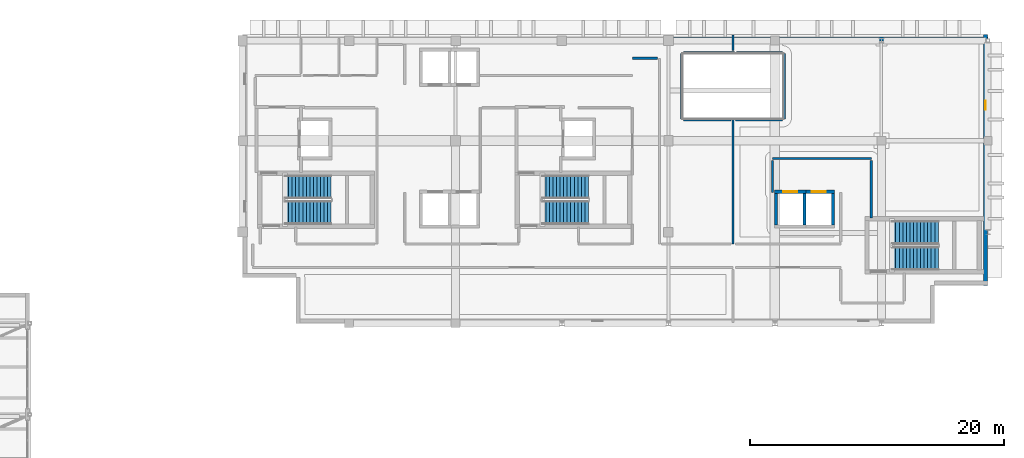
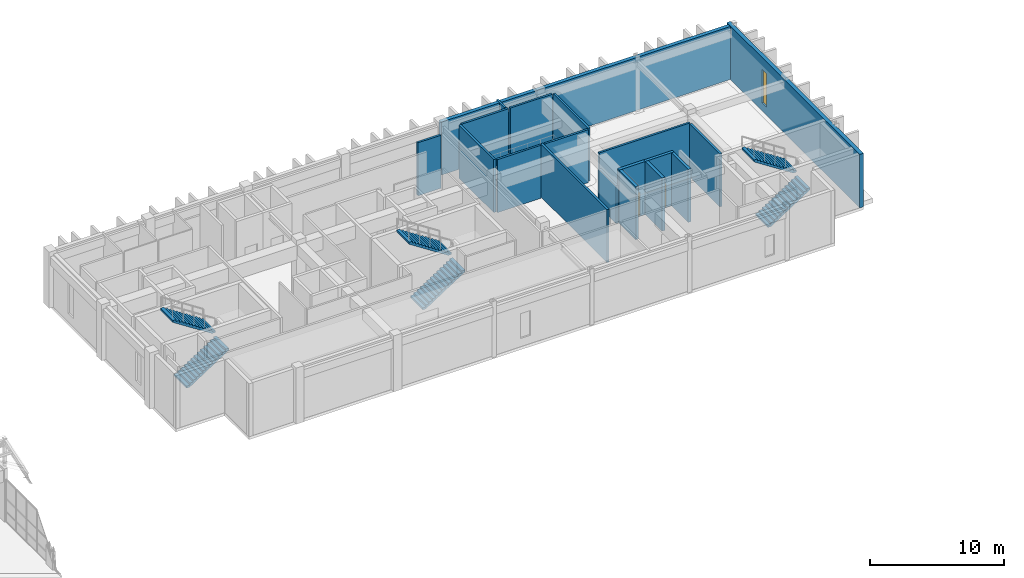
# One storey, part 30 of 34: 19 walls, 6 stair flights, 2 doors, 1 window, 3 openings, 3 elements without a shape of their own.
"""IFC4 building model written with IfcOpenShell, lengths in metres."""

from ifc_helpers import new_model, si_unit, direction, frame, frame_2d, origin, place, context, subcontext, project, spatial, polyline, rectangle, outline, extrude, material, layer, layer_set, type_object, element, fill, aggregate, save


model = new_model("IFC4")

# Units and contexts
model_context = context("Model", 3, precision=1e-05, world=origin(), true_north=direction((0.0, 1.0)))
body_context = subcontext(model_context, "Body", "Model", "MODEL_VIEW")
ifc_project = project(units=[si_unit("LENGTHUNIT", "METRE"), si_unit("AREAUNIT", "SQUARE_METRE"), si_unit("VOLUMEUNIT", "CUBIC_METRE"), si_unit("PLANEANGLEUNIT", "RADIAN"), si_unit("MASSUNIT", "GRAM", prefix="KILO")], contexts=[model_context])

# Site, building, storey
site_placement = place(None, origin())
site = spatial("IfcSite", under=ifc_project, at=site_placement, CompositionType="ELEMENT")
building_placement = place(site_placement, origin())
building = spatial("IfcBuilding", under=site, at=building_placement, Name="Quendrovan Civic Courthouse", CompositionType="ELEMENT")
storey_placement = place(building_placement, frame((0.0, 0.0, 25.5)))
storey = spatial("IfcBuildingStorey", under=building, at=storey_placement, Name="L06", CompositionType="ELEMENT", Elevation=25.5)

# Walls
ifc_material_1 = material(Name="Acoustic gypsum and mineral wool partition")
ifc_layer_1 = layer(ifc_material_1, 0.179931640625, Name="Acoustic gypsum and mineral wool partition")
ifc_layer_set_1 = layer_set([ifc_layer_1], Name="Acoustic gypsum and mineral wool partition")
wall_type_1 = type_object("IfcWallType", Name="WL-CRT-AC180", PredefinedType="PARTITIONING", material=ifc_layer_set_1)
wall_1_placement = place(storey_placement, frame((72.300048828125, 103.739990234375, 0.0), z_axis=(0.0, 0.0, 1.0), x_axis=(0.0, -1.0, 0.0)))
element("IfcWall", 1, at=wall_1_placement, inside=storey, type_object=wall_type_1, Name="L06 Family Courtroom Partition 0766", PredefinedType="PARTITIONING", context=body_context, shape_type="SweptSolid", body=[
    extrude(rectangle(XDim=9.889892578125, YDim=0.179931640625, at=frame_2d((4.94482421875, 0.0))), origin(), (0.0, 0.0, 1.0), 4.820068359375),
])
wall_2_placement = place(storey_placement, frame((83.199951171875, 100.60009765625, 0.0), z_axis=(0.0, 0.0, 1.0), x_axis=(-1.0, 0.0, 0.0)))
element("IfcWall", 2, at=wall_2_placement, inside=storey, type_object=wall_type_1, Name="L06 Trial Courtroom Partition 0770", PredefinedType="PARTITIONING", context=body_context, shape_type="SweptSolid", body=[
    extrude(rectangle(XDim=7.800048828125, YDim=0.179931640625, at=frame_2d((3.89990234375, 0.0))), origin(), (0.0, 0.0, 1.0), 4.820068359375),
])
for number, where, z_axis, x_axis, name in (
    (3, (68.239990234375, 108.89990234375, 0.0), (0.0, 0.0, 1.0), (0.0, -1.0, 0.0), "L06 Family Courtroom Partition 0776"),
    (4, (76.360107421875, 103.699951171875, 0.0), (0.0, 0.0, 1.0), (0.0, 1.0, 0.0), "L06 Trial Courtroom Partition 0777"),
):
    element("IfcWall", number, at=place(storey_placement, frame(where, z_axis=z_axis, x_axis=x_axis)), inside=storey, type_object=wall_type_1, Name=name, PredefinedType="PARTITIONING", context=body_context, shape_type="SweptSolid", body=[
        extrude(rectangle(XDim=5.199951171875, YDim=0.179931640625, at=frame_2d((2.60009765625, 0.0))), origin(), (0.0, 0.0, 1.0), 4.820068359375),
    ])
wall_3_placement = place(storey_placement, frame((83.199951171875, 95.919921875, 0.0), z_axis=(0.0, 0.0, 1.0), x_axis=(0.0, 1.0, 0.0)))
element("IfcWall", 5, at=wall_3_placement, inside=storey, type_object=wall_type_1, Name="L06 Trial Courtroom Partition 0781", PredefinedType="PARTITIONING", context=body_context, shape_type="SweptSolid", body=[
    extrude(rectangle(XDim=4.510009765625, YDim=0.179931640625, at=frame_2d((2.2548828125, 0.0))), origin(), (0.0, 0.0, 1.0), 4.820068359375),
])
wall_4_placement = place(storey_placement, frame((72.39990234375, 108.9599609375, 0.0), z_axis=(0.0, 0.0, 1.0), x_axis=(-1.0, 0.0, 0.0)))
element("IfcWall", 6, at=wall_4_placement, inside=storey, type_object=wall_type_1, Name="L06 Family Courtroom Partition 0787", PredefinedType="PARTITIONING", context=body_context, shape_type="SweptSolid", body=[
    extrude(rectangle(XDim=4.0009765625, YDim=0.179931640625, at=frame_2d((2.00048828125, 0.0))), origin(), (0.0, 0.0, 1.0), 4.820068359375),
])
wall_5_placement = place(storey_placement, frame((68.39892578125, 103.639892578125, 0.0), z_axis=(0.0, 0.0, 1.0), x_axis=(1.0, 0.0, 0.0)))
element("IfcWall", 7, at=wall_5_placement, inside=storey, type_object=wall_type_1, Name="L06 Family Courtroom Partition 0788", PredefinedType="PARTITIONING", context=body_context, shape_type="SweptSolid", body=[
    extrude(rectangle(XDim=3.73095703125, YDim=0.179931640625, at=frame_2d((1.865478515625, 0.0))), origin(), (0.0, 0.0, 1.0), 4.820068359375),
])
wall_6_placement = place(storey_placement, frame((72.469970703125, 103.639892578125, 0.0), z_axis=(0.0, 0.0, 1.0), x_axis=(1.0, 0.0, 0.0)))
element("IfcWall", 8, at=wall_6_placement, inside=storey, type_object=wall_type_1, Name="L06 Trial Courtroom Partition 0789", PredefinedType="PARTITIONING", context=body_context, shape_type="SweptSolid", body=[
    extrude(rectangle(XDim=3.731201171875, YDim=0.179931640625, at=frame_2d((1.86572265625, 0.0))), origin(), (0.0, 0.0, 1.0), 4.820068359375),
])
wall_7_placement = place(storey_placement, frame((76.201171875, 108.9599609375, 0.0), z_axis=(0.0, 0.0, 1.0), x_axis=(-1.0, 0.0, 0.0)))
element("IfcWall", 9, at=wall_7_placement, inside=storey, type_object=wall_type_1, Name="L06 Trial Courtroom Partition 0790", PredefinedType="PARTITIONING", context=body_context, shape_type="SweptSolid", body=[
    extrude(rectangle(XDim=3.631103515625, YDim=0.179931640625, at=frame_2d((1.8154296875, 0.0))), origin(), (0.0, 0.0, 1.0), 4.820068359375),
])
wall_8_placement = place(storey_placement, frame((75.39990234375, 100.429931640625, 0.0), z_axis=(0.0, 0.0, 1.0), x_axis=(0.0, -1.0, 0.0)))
element("IfcWall", 10, at=wall_8_placement, inside=storey, type_object=wall_type_1, Name="L06 Trial Courtroom Partition 0805", PredefinedType="PARTITIONING", context=body_context, shape_type="SweptSolid", body=[
    extrude(rectangle(XDim=2.530029296875, YDim=0.179931640625, at=frame_2d((1.26513671875, 0.0))), origin(), (0.0, 0.0, 1.0), 3.449951171875),
])
wall_9_placement = place(storey_placement, frame((66.330078125, 108.5, 0.0), z_axis=(0.0, 0.0, 1.0), x_axis=(-1.0, 0.0, 0.0)))
element("IfcWall", 11, at=wall_9_placement, inside=storey, type_object=wall_type_1, Name="L06 Family Courtroom Partition 0813", PredefinedType="PARTITIONING", context=body_context, shape_type="SweptSolid", body=[
    extrude(rectangle(XDim=1.97998046875, YDim=0.179931640625, at=frame_2d((0.989990234375, 0.0))), origin(), (0.0, 0.0, 1.0), 4.820068359375),
])
wall_10_placement = place(storey_placement, frame((72.300048828125, 110.340087890625, 0.0), z_axis=(0.0, 0.0, 1.0), x_axis=(0.0, -1.0, 0.0)))
element("IfcWall", 12, at=wall_10_placement, inside=storey, type_object=wall_type_1, Name="L06 Family Courtroom Partition 0816", PredefinedType="PARTITIONING", context=body_context, shape_type="SweptSolid", body=[
    extrude(rectangle(XDim=1.210205078125, YDim=0.179931640625, at=frame_2d((0.60498046875, 0.0))), origin(), (0.0, 0.0, 1.0), 4.820068359375),
])

# Wall, opening, window
ifc_material_2 = material(Name="Precast concrete C45/55", Category="concrete")
ifc_layer_2 = layer(ifc_material_2, 0.320068359375, Name="Precast concrete C45/55")
ifc_layer_set_2 = layer_set([ifc_layer_2], Name="Precast concrete C45/55")
wall_type_2 = type_object("IfcWallType", Name="WL-EXT-PC320", PredefinedType="SOLIDWALL", material=ifc_layer_set_2)
wall_11_placement = place(storey_placement, frame((92.219970703125, 110.39990234375, 0.0), z_axis=(0.0, 0.0, 1.0), x_axis=(0.0, -1.0, 0.0)))
wall_11 = element("IfcWall", 13, at=wall_11_placement, inside=storey, type_object=wall_type_2, Name="L06 Exterior Precast Concrete Wall 493", PredefinedType="SOLIDWALL", context=body_context, shape_type="SweptSolid", body=[
    extrude(rectangle(XDim=19.7998046875, YDim=0.320068359375, at=frame_2d((9.89990234375, 0.0))), origin(), (0.0, 0.0, 1.0), 4.860107421875),
])
opening_1_placement = place(wall_11_placement, frame((5.260009765625, 0.0, 0.75)))
opening_1 = element("IfcOpeningElement", 14, at=opening_1_placement, cuts=wall_11, Name="Opening W04", PredefinedType="OPENING", context=body_context, shape_type="SweptSolid", body=[
    extrude(rectangle(XDim=0.679931640625, YDim=3.050048828125, at=frame_2d((0.33984375, 1.52490234375))), frame((0.0, 0.169921875, 0.0), z_axis=(0.0, -1.0, 0.0), x_axis=(1.0, 0.0, 0.0)), (0.0, 0.0, 1.0), 0.340087890625),
])
ifc_material_3 = material(Name="Laminated hurricane-impact low-E glass", Category="glass")
window_type = type_object("IfcWindowType", Name="WIN-SLT-04", PartitioningType="SINGLE_PANEL", PredefinedType="WINDOW", material=ifc_material_3)
window_placement = place(opening_1_placement, origin())
window = element("IfcWindow", 15, at=window_placement, inside=storey, type_object=window_type, Name="L06 Courtroom Shaded Slot Window 0042", OverallHeight=3.050048828125, OverallWidth=0.679931640625, PartitioningType="SINGLE_PANEL", PredefinedType="WINDOW", context=body_context, shape_type="SweptSolid", body=[
    extrude(rectangle(XDim=0.679931640625, YDim=3.050048828125, at=frame_2d((0.33984375, 1.52490234375))), frame((0.0, 0.030029296875, 0.0), z_axis=(0.0, -1.0, 0.0), x_axis=(1.0, 0.0, 0.0)), (0.0, 0.0, 1.0), 0.06005859375),
])
fill(opening_1, window)

# Wall
wall_12_placement = place(storey_placement, frame((67.199951171875, 110.02001953125, 0.0), z_axis=(0.0, 0.0, 1.0), x_axis=(1.0, 0.0, 0.0)))
element("IfcWall", 16, at=wall_12_placement, inside=storey, type_object=wall_type_2, Name="L06 Exterior Precast Concrete Wall 502", PredefinedType="SOLIDWALL", context=body_context, shape_type="SweptSolid", body=[
    extrude(rectangle(XDim=25.199951171875, YDim=0.320068359375, at=frame_2d((12.60009765625, 0.0))), origin(), (0.0, 0.0, 1.0), 4.820068359375),
])

# Wall, opening, door
ifc_material_4 = material(Name="Concrete C45/55", Category="concrete")
ifc_layer_3 = layer(ifc_material_4, 0.25, Name="Concrete C45/55")
ifc_layer_set_3 = layer_set([ifc_layer_3], Name="Concrete C45/55")
wall_type_3 = type_object("IfcWallType", Name="WL-SHAFT-250", PredefinedType="SHEAR", material=ifc_layer_set_3)
wall_13_placement = place(storey_placement, frame((78.050048828125, 97.97509765625, 0.0), z_axis=(0.0, 0.0, 1.0), x_axis=(-1.0, 0.0, 0.0)))
wall_13 = element("IfcWall", 17, at=wall_13_placement, inside=storey, type_object=wall_type_3, Name="L06 Lift Hoistway Wall PL1 +Y", PredefinedType="SHEAR", context=body_context, shape_type="SweptSolid", body=[
    extrude(rectangle(XDim=2.5, YDim=0.25, at=frame_2d((1.25, 0.0))), origin(), (0.0, 0.0, 1.0), 4.820068359375),
])
opening_2_placement = place(wall_13_placement, frame((0.699951171875, 0.0, 0.0)))
opening_2 = element("IfcOpeningElement", 18, at=opening_2_placement, cuts=wall_13, Name="Opening LD-PL1-L06", PredefinedType="OPENING", context=body_context, shape_type="SweptSolid", body=[
    extrude(rectangle(XDim=1.10009765625, YDim=2.199951171875, at=frame_2d((0.550048828125, 1.10009765625))), frame((0.0, 0.135009765625, 0.0), z_axis=(0.0, -1.0, 0.0), x_axis=(1.0, 0.0, 0.0)), (0.0, 0.0, 1.0), 0.27001953125),
])
ifc_material_5 = material(Name="Brushed bronze-anodised stainless steel", Category="steel")
door_type = type_object("IfcDoorType", Name="DR-LIFT-LD-PL", OperationType="NOTDEFINED", PredefinedType="DOOR", material=ifc_material_5)
door_1_placement = place(opening_2_placement, origin())
door_1 = element("IfcDoor", 19, at=door_1_placement, inside=storey, type_object=door_type, Name="L06 Lift PL1 Sliding Landing Door", OperationType="SLIDING_TO_LEFT", OverallHeight=2.199951171875, OverallWidth=1.10009765625, PredefinedType="DOOR", context=body_context, shape_type="SweptSolid", body=[
    extrude(rectangle(XDim=1.10009765625, YDim=2.199951171875, at=frame_2d((0.550048828125, 1.10009765625))), frame((0.0, 0.02490234375, 0.0), z_axis=(0.0, -1.0, 0.0), x_axis=(1.0, 0.0, 0.0)), (0.0, 0.0, 1.0), 0.050048828125),
])
fill(opening_2, door_1)

# Walls
for number, where, z_axis, x_axis, name in (
    (20, (75.675048828125, 95.35009765625, 0.0), (0.0, 0.0, 1.0), (0.0, 1.0, 0.0), "L06 Lift Hoistway Wall PL1 -X"),
    (21, (77.925048828125, 97.85009765625, 0.0), (0.0, 0.0, 1.0), (0.0, -1.0, 0.0), "L06 Lift Hoistway Wall PL1 +X"),
):
    element("IfcWall", number, at=place(storey_placement, frame(where, z_axis=z_axis, x_axis=x_axis)), inside=storey, type_object=wall_type_3, Name=name, PredefinedType="SHEAR", context=body_context, shape_type="SweptSolid", body=[
        extrude(rectangle(XDim=2.5, YDim=0.25, at=frame_2d((1.25, 0.0))), origin(), (0.0, 0.0, 1.0), 4.820068359375),
    ])

# Wall, opening, door
wall_14_placement = place(storey_placement, frame((80.300048828125, 97.97509765625, 0.0), z_axis=(0.0, 0.0, 1.0), x_axis=(-1.0, 0.0, 0.0)))
wall_14 = element("IfcWall", 22, at=wall_14_placement, inside=storey, type_object=wall_type_3, Name="L06 Lift Hoistway Wall PL2 +Y", PredefinedType="SHEAR", context=body_context, shape_type="SweptSolid", body=[
    extrude(rectangle(XDim=2.5, YDim=0.25, at=frame_2d((1.25, 0.0))), origin(), (0.0, 0.0, 1.0), 4.820068359375),
])
opening_3_placement = place(wall_14_placement, frame((0.699951171875, 0.0, 0.0)))
opening_3 = element("IfcOpeningElement", 23, at=opening_3_placement, cuts=wall_14, Name="Opening LD-PL2-L06", PredefinedType="OPENING", context=body_context, shape_type="SweptSolid", body=[
    extrude(rectangle(XDim=1.10009765625, YDim=2.199951171875, at=frame_2d((0.550048828125, 1.10009765625))), frame((0.0, 0.135009765625, 0.0), z_axis=(0.0, -1.0, 0.0), x_axis=(1.0, 0.0, 0.0)), (0.0, 0.0, 1.0), 0.27001953125),
])
door_2_placement = place(opening_3_placement, origin())
door_2 = element("IfcDoor", 24, at=door_2_placement, inside=storey, type_object=door_type, Name="L06 Lift PL2 Sliding Landing Door", OperationType="SLIDING_TO_LEFT", OverallHeight=2.199951171875, OverallWidth=1.10009765625, PredefinedType="DOOR", context=body_context, shape_type="SweptSolid", body=[
    extrude(rectangle(XDim=1.10009765625, YDim=2.199951171875, at=frame_2d((0.550048828125, 1.10009765625))), frame((0.0, 0.02490234375, 0.0), z_axis=(0.0, -1.0, 0.0), x_axis=(1.0, 0.0, 0.0)), (0.0, 0.0, 1.0), 0.050048828125),
])
fill(opening_3, door_2)

# Wall
wall_15_placement = place(storey_placement, frame((80.175048828125, 97.85009765625, 0.0), z_axis=(0.0, 0.0, 1.0), x_axis=(0.0, -1.0, 0.0)))
element("IfcWall", 25, at=wall_15_placement, inside=storey, type_object=wall_type_3, Name="L06 Lift Hoistway Wall PL2 +X", PredefinedType="SHEAR", context=body_context, shape_type="SweptSolid", body=[
    extrude(rectangle(XDim=2.5, YDim=0.25, at=frame_2d((1.25, 0.0))), origin(), (0.0, 0.0, 1.0), 4.820068359375),
])

# Stair, stair flights
ifc_material_6 = material(Name="Concrete C40/50", Category="concrete")
stair_type = type_object("IfcStairType", Name="STR-CORE-5100", PredefinedType="HALF_TURN_STAIR", material=ifc_material_6)
stair_1_placement = place(storey_placement, origin())
stair_1 = element("IfcStair", 26, at=stair_1_placement, inside=storey, type_object=stair_type, Name="L06 West Judicial and Public Exit Stair 1", PredefinedType="HALF_TURN_STAIR")
stair_flight_type = type_object("IfcStairFlightType", Name="FLT-CORE-5100", PredefinedType="STRAIGHT", material=ifc_material_6)
stair_flight_1_placement = place(storey_placement, frame((36.949951171875, 96.324951171875, 0.0), z_axis=(0.0, 0.0, 1.0), x_axis=(1.0, 0.0, 0.0)))
stair_flight_1 = element("IfcStairFlight", 27, at=stair_flight_1_placement, type_object=stair_flight_type, Name="ST1 flight 1", NumberOfRisers=14, NumberOfTreads=13, PredefinedType="STRAIGHT", RiserHeight=0.182142857, TreadLength=0.28, context=body_context, shape_type="SweptSolid", body=[
    extrude(outline(polyline([(0.0, 0.0), (0.0, 0.18212890625), (0.280029296875, 0.18212890625), (0.280029296875, 0.3642578125), (0.56005859375, 0.3642578125), (0.56005859375, 0.54638671875), (0.840087890625, 0.54638671875), (0.840087890625, 0.728515625), (1.1201171875, 0.728515625), (1.1201171875, 0.91064453125), (1.39990234375, 0.91064453125), (1.39990234375, 1.0927734375), (1.679931640625, 1.0927734375), (1.679931640625, 1.27490234375), (1.9599609375, 1.27490234375), (1.9599609375, 1.45703125), (2.239990234375, 1.45703125), (2.239990234375, 1.639404296875), (2.52001953125, 1.639404296875), (2.52001953125, 1.821533203125), (2.800048828125, 1.821533203125), (2.800048828125, 2.003662109375), (3.080078125, 2.003662109375), (3.080078125, 2.185791015625), (3.360107421875, 2.185791015625), (3.360107421875, 2.367919921875), (3.639892578125, 2.367919921875), (3.639892578125, 2.550048828125), (3.639892578125, 2.18896484375), (0.27490234375, 0.0), (0.0, 0.0)])), frame((0.0, 0.925048828125, 0.0), z_axis=(0.0, -1.0, 0.0), x_axis=(1.0, 0.0, 0.0)), (0.0, 0.0, 1.0), 1.85009765625),
])
stair_flight_2_placement = place(storey_placement, frame((40.590087890625, 98.35498046875, 2.550048828125), z_axis=(0.0, 0.0, 1.0), x_axis=(-1.0, 0.0, 0.0)))
stair_flight_2 = element("IfcStairFlight", 28, at=stair_flight_2_placement, type_object=stair_flight_type, Name="ST1 flight 2", NumberOfRisers=14, NumberOfTreads=13, PredefinedType="STRAIGHT", RiserHeight=0.182142857, TreadLength=0.28, context=body_context, shape_type="SweptSolid", body=[
    extrude(outline(polyline([(0.0, 0.0), (0.0, 0.18212890625), (0.280029296875, 0.18212890625), (0.280029296875, 0.3642578125), (0.56005859375, 0.3642578125), (0.56005859375, 0.54638671875), (0.840087890625, 0.54638671875), (0.840087890625, 0.728515625), (1.1201171875, 0.728515625), (1.1201171875, 0.91064453125), (1.39990234375, 0.91064453125), (1.39990234375, 1.0927734375), (1.679931640625, 1.0927734375), (1.679931640625, 1.27490234375), (1.9599609375, 1.27490234375), (1.9599609375, 1.45703125), (2.239990234375, 1.45703125), (2.239990234375, 1.639404296875), (2.52001953125, 1.639404296875), (2.52001953125, 1.821533203125), (2.800048828125, 1.821533203125), (2.800048828125, 2.003662109375), (3.080078125, 2.003662109375), (3.080078125, 2.185791015625), (3.360107421875, 2.185791015625), (3.360107421875, 2.367919921875), (3.639892578125, 2.367919921875), (3.639892578125, 2.550048828125), (3.639892578125, 2.18896484375), (0.27490234375, 0.0), (0.0, 0.0)])), frame((0.0, 0.925048828125, 0.0), z_axis=(0.0, -1.0, 0.0), x_axis=(1.0, 0.0, 0.0)), (0.0, 0.0, 1.0), 1.85009765625),
])
aggregate(stair_1, [stair_flight_1, stair_flight_2])

stair_2_placement = place(storey_placement, origin())
stair_2 = element("IfcStair", 29, at=stair_2_placement, inside=storey, type_object=stair_type, Name="L06 Central Judicial and Firefighting Exit Stair 2", PredefinedType="HALF_TURN_STAIR")
stair_flight_3_placement = place(storey_placement, frame((57.25, 96.324951171875, 0.0), z_axis=(0.0, 0.0, 1.0), x_axis=(1.0, 0.0, 0.0)))
stair_flight_3 = element("IfcStairFlight", 30, at=stair_flight_3_placement, type_object=stair_flight_type, Name="ST2 flight 1", NumberOfRisers=14, NumberOfTreads=13, PredefinedType="STRAIGHT", RiserHeight=0.182142857, TreadLength=0.28, context=body_context, shape_type="SweptSolid", body=[
    extrude(outline(polyline([(0.0, 0.0), (0.0, 0.18212890625), (0.280029296875, 0.18212890625), (0.280029296875, 0.3642578125), (0.56005859375, 0.3642578125), (0.56005859375, 0.54638671875), (0.840087890625, 0.54638671875), (0.840087890625, 0.728515625), (1.1201171875, 0.728515625), (1.1201171875, 0.91064453125), (1.39990234375, 0.91064453125), (1.39990234375, 1.0927734375), (1.679931640625, 1.0927734375), (1.679931640625, 1.27490234375), (1.9599609375, 1.27490234375), (1.9599609375, 1.45703125), (2.239990234375, 1.45703125), (2.239990234375, 1.639404296875), (2.52001953125, 1.639404296875), (2.52001953125, 1.821533203125), (2.800048828125, 1.821533203125), (2.800048828125, 2.003662109375), (3.080078125, 2.003662109375), (3.080078125, 2.185791015625), (3.360107421875, 2.185791015625), (3.360107421875, 2.367919921875), (3.639892578125, 2.367919921875), (3.639892578125, 2.550048828125), (3.639892578125, 2.18896484375), (0.27490234375, 0.0), (0.0, 0.0)])), frame((0.0, 0.925048828125, 0.0), z_axis=(0.0, -1.0, 0.0), x_axis=(1.0, 0.0, 0.0)), (0.0, 0.0, 1.0), 1.85009765625),
])
stair_flight_4_placement = place(storey_placement, frame((60.889892578125, 98.35498046875, 2.550048828125), z_axis=(0.0, 0.0, 1.0), x_axis=(-1.0, 0.0, 0.0)))
stair_flight_4 = element("IfcStairFlight", 31, at=stair_flight_4_placement, type_object=stair_flight_type, Name="ST2 flight 2", NumberOfRisers=14, NumberOfTreads=13, PredefinedType="STRAIGHT", RiserHeight=0.182142857, TreadLength=0.28, context=body_context, shape_type="SweptSolid", body=[
    extrude(outline(polyline([(0.0, 0.0), (0.0, 0.18212890625), (0.280029296875, 0.18212890625), (0.280029296875, 0.3642578125), (0.56005859375, 0.3642578125), (0.56005859375, 0.54638671875), (0.840087890625, 0.54638671875), (0.840087890625, 0.728515625), (1.1201171875, 0.728515625), (1.1201171875, 0.91064453125), (1.39990234375, 0.91064453125), (1.39990234375, 1.0927734375), (1.679931640625, 1.0927734375), (1.679931640625, 1.27490234375), (1.9599609375, 1.27490234375), (1.9599609375, 1.45703125), (2.239990234375, 1.45703125), (2.239990234375, 1.639404296875), (2.52001953125, 1.639404296875), (2.52001953125, 1.821533203125), (2.800048828125, 1.821533203125), (2.800048828125, 2.003662109375), (3.080078125, 2.003662109375), (3.080078125, 2.185791015625), (3.360107421875, 2.185791015625), (3.360107421875, 2.367919921875), (3.639892578125, 2.367919921875), (3.639892578125, 2.550048828125), (3.639892578125, 2.18896484375), (0.27490234375, 0.0), (0.0, 0.0)])), frame((0.0, 0.925048828125, 0.0), z_axis=(0.0, -1.0, 0.0), x_axis=(1.0, 0.0, 0.0)), (0.0, 0.0, 1.0), 1.85009765625),
])
aggregate(stair_2, [stair_flight_3, stair_flight_4])

stair_3_placement = place(storey_placement, origin())
stair_3 = element("IfcStair", 32, at=stair_3_placement, inside=storey, type_object=stair_type, Name="L06 East Court Block Exit Stair 3", PredefinedType="HALF_TURN_STAIR")
stair_flight_5_placement = place(storey_placement, frame((84.85009765625, 92.72509765625, 0.0), z_axis=(0.0, 0.0, 1.0), x_axis=(1.0, 0.0, 0.0)))
stair_flight_5 = element("IfcStairFlight", 33, at=stair_flight_5_placement, type_object=stair_flight_type, Name="ST3 flight 1", NumberOfRisers=14, NumberOfTreads=13, PredefinedType="STRAIGHT", RiserHeight=0.182142857, TreadLength=0.28, context=body_context, shape_type="SweptSolid", body=[
    extrude(outline(polyline([(0.0, 0.0), (0.0, 0.18212890625), (0.280029296875, 0.18212890625), (0.280029296875, 0.3642578125), (0.56005859375, 0.3642578125), (0.56005859375, 0.54638671875), (0.840087890625, 0.54638671875), (0.840087890625, 0.728515625), (1.1201171875, 0.728515625), (1.1201171875, 0.91064453125), (1.39990234375, 0.91064453125), (1.39990234375, 1.0927734375), (1.679931640625, 1.0927734375), (1.679931640625, 1.27490234375), (1.9599609375, 1.27490234375), (1.9599609375, 1.45703125), (2.239990234375, 1.45703125), (2.239990234375, 1.639404296875), (2.52001953125, 1.639404296875), (2.52001953125, 1.821533203125), (2.800048828125, 1.821533203125), (2.800048828125, 2.003662109375), (3.080078125, 2.003662109375), (3.080078125, 2.185791015625), (3.360107421875, 2.185791015625), (3.360107421875, 2.367919921875), (3.639892578125, 2.367919921875), (3.639892578125, 2.550048828125), (3.639892578125, 2.18896484375), (0.27490234375, 0.0), (0.0, 0.0)])), frame((0.0, 0.925048828125, 0.0), z_axis=(0.0, -1.0, 0.0), x_axis=(1.0, 0.0, 0.0)), (0.0, 0.0, 1.0), 1.85009765625),
])
stair_flight_6_placement = place(storey_placement, frame((88.489990234375, 94.7548828125, 2.550048828125), z_axis=(0.0, 0.0, 1.0), x_axis=(-1.0, 0.0, 0.0)))
stair_flight_6 = element("IfcStairFlight", 34, at=stair_flight_6_placement, type_object=stair_flight_type, Name="ST3 flight 2", NumberOfRisers=14, NumberOfTreads=13, PredefinedType="STRAIGHT", RiserHeight=0.182142857, TreadLength=0.28, context=body_context, shape_type="SweptSolid", body=[
    extrude(outline(polyline([(0.0, 0.0), (0.0, 0.18212890625), (0.280029296875, 0.18212890625), (0.280029296875, 0.3642578125), (0.56005859375, 0.3642578125), (0.56005859375, 0.54638671875), (0.840087890625, 0.54638671875), (0.840087890625, 0.728515625), (1.1201171875, 0.728515625), (1.1201171875, 0.91064453125), (1.39990234375, 0.91064453125), (1.39990234375, 1.0927734375), (1.679931640625, 1.0927734375), (1.679931640625, 1.27490234375), (1.9599609375, 1.27490234375), (1.9599609375, 1.45703125), (2.239990234375, 1.45703125), (2.239990234375, 1.639404296875), (2.52001953125, 1.639404296875), (2.52001953125, 1.821533203125), (2.800048828125, 1.821533203125), (2.800048828125, 2.003662109375), (3.080078125, 2.003662109375), (3.080078125, 2.185791015625), (3.360107421875, 2.185791015625), (3.360107421875, 2.367919921875), (3.639892578125, 2.367919921875), (3.639892578125, 2.550048828125), (3.639892578125, 2.18896484375), (0.27490234375, 0.0), (0.0, 0.0)])), frame((0.0, 0.925048828125, 0.0), z_axis=(0.0, -1.0, 0.0), x_axis=(1.0, 0.0, 0.0)), (0.0, 0.0, 1.0), 1.85009765625),
])
aggregate(stair_3, [stair_flight_5, stair_flight_6])

save(model, "model.ifc")
